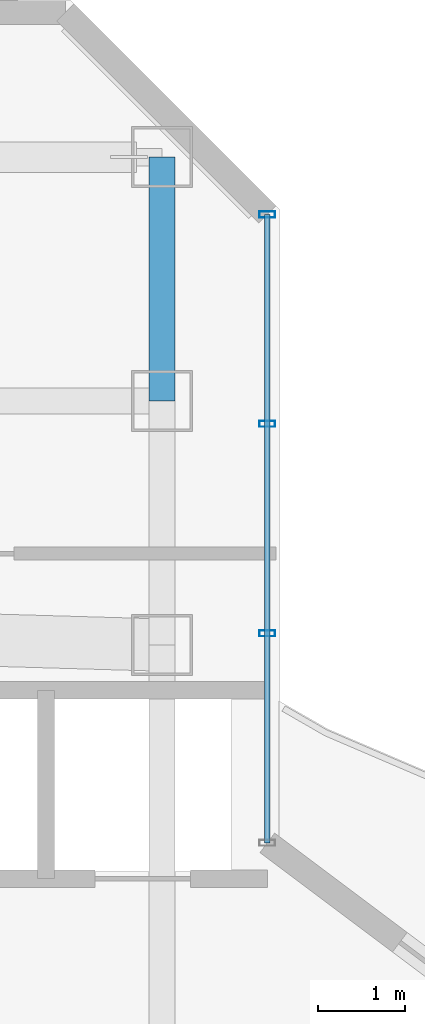
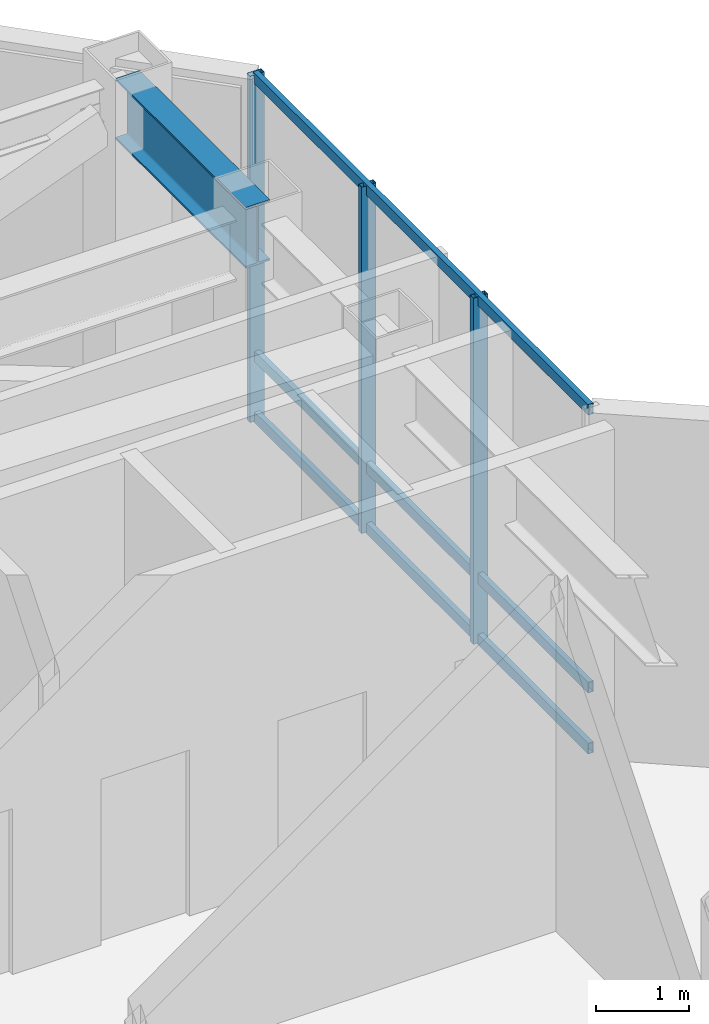
# One storey, part 13 of 21: 6 members, 1 beam, 1 element without a shape of its own.
"""IFC4 building model written with IfcOpenShell, lengths in metres."""

from ifc_helpers import new_model, si_unit, direction, frame, origin, origin_2d, place, context, subcontext, project, spatial, hollow_rectangle, i_section, extrude, material, layer, layer_set, material_profile, profile_set, type_object, element, aggregate, save


model = new_model("IFC4")

# Units and contexts
model_context = context("Model", 3, precision=1e-05, world=origin(), true_north=direction((0.0, 1.0)))
body_context = subcontext(model_context, "Body", "Model", "MODEL_VIEW")
ifc_project = project(units=[si_unit("LENGTHUNIT", "METRE"), si_unit("AREAUNIT", "SQUARE_METRE"), si_unit("VOLUMEUNIT", "CUBIC_METRE"), si_unit("PLANEANGLEUNIT", "RADIAN"), si_unit("MASSUNIT", "GRAM", prefix="KILO")], contexts=[model_context])

# Site, building, storey
site_placement = place(None, origin())
site = spatial("IfcSite", under=ifc_project, at=site_placement, CompositionType="ELEMENT")
building_placement = place(site_placement, origin())
building = spatial("IfcBuilding", under=site, at=building_placement, Name="Hatsunagi Terrace Concourse", CompositionType="ELEMENT")
storey_placement = place(building_placement, frame((0.0, 0.0, 234.75)))
storey = spatial("IfcBuildingStorey", under=building, at=storey_placement, Name="L62", CompositionType="ELEMENT", Elevation=234.75)

# Curtain wall, members
ifc_material_1 = material(Name="Anodised Aluminium Alloy 6063-T5", Category="aluminium")
ifc_layer = layer(ifc_material_1, 0.199951171875)
ifc_layer_set = layer_set([ifc_layer], Name="OfficeZone2_CW04")
curtain_wall_type = type_object("IfcCurtainWallType", Name="OfficeZone2_CW04", PredefinedType="NOTDEFINED", material=ifc_layer_set)
curtain_wall_placement = place(storey_placement, origin())
curtain_wall = element("IfcCurtainWall", 1, at=curtain_wall_placement, inside=storey, type_object=curtain_wall_type, Name="Unitised Curtain Wall CW-04 CW-L62-12", PredefinedType="NOTDEFINED")
ifc_material_2 = material(Name="Anodised Aluminium Alloy 6063-T5", Category="aluminium")
ifc_material_profile_1 = material_profile(ifc_material_2, hollow_rectangle(XDim=0.070068359375, YDim=0.179931640625, WallThickness=0.00390625, at=origin_2d()), Name="ALU-MUL-180x70x4")
ifc_profile_set_1 = profile_set([ifc_material_profile_1], Name="Anodised Aluminium Alloy 6063-T5")
member_type_1 = type_object("IfcMemberType", Name="CurtainWallMullion_180x70", PredefinedType="MULLION", material=ifc_profile_set_1)
member_1_placement = place(storey_placement, frame((44.860107421875, 47.94189453125, 0.0), z_axis=(0.0, 0.0, 1.0), x_axis=(0.0, -1.0, 0.0)))
member_1 = element("IfcMember", 2, at=member_1_placement, type_object=member_type_1, Name="Curtain Wall Mullion MUL-02", PredefinedType="MULLION", context=body_context, shape_type="SweptSolid", body=[
    extrude(hollow_rectangle(XDim=0.070068359375, YDim=0.179931640625, WallThickness=0.00390625, at=origin_2d()), origin(), (0.0, 0.0, 1.0), 4.550048828125),
])
member_2_placement = place(storey_placement, frame((44.860107421875, 45.5380859375, 0.0), z_axis=(0.0, 0.0, 1.0), x_axis=(0.0, -1.0, 0.0)))
member_2 = element("IfcMember", 3, at=member_2_placement, type_object=member_type_1, Name="Curtain Wall Mullion MUL-02", PredefinedType="MULLION", context=body_context, shape_type="SweptSolid", body=[
    extrude(hollow_rectangle(XDim=0.070068359375, YDim=0.179931640625, WallThickness=0.00390625, at=origin_2d()), origin(), (0.0, 0.0, 1.0), 4.550048828125),
])
member_3_placement = place(storey_placement, frame((44.860107421875, 43.134033203125, 0.0), z_axis=(0.0, 0.0, 1.0), x_axis=(0.0, -1.0, 0.0)))
member_3 = element("IfcMember", 4, at=member_3_placement, type_object=member_type_1, Name="Curtain Wall Mullion MUL-02", PredefinedType="MULLION", context=body_context, shape_type="SweptSolid", body=[
    extrude(hollow_rectangle(XDim=0.070068359375, YDim=0.179931640625, WallThickness=0.00390625, at=origin_2d()), origin(), (0.0, 0.0, 1.0), 4.550048828125),
])
ifc_material_3 = material(Name="Anodised Aluminium Alloy 6063-T5", Category="aluminium")
ifc_material_profile_2 = material_profile(ifc_material_3, hollow_rectangle(XDim=0.06494140625, YDim=0.139892578125, WallThickness=0.00390625, at=origin_2d()), Name="ALU-TRN-140x65x4")
ifc_profile_set_2 = profile_set([ifc_material_profile_2], Name="Anodised Aluminium Alloy 6063-T5")
member_type_2 = type_object("IfcMemberType", Name="CurtainWallTransom_140x65", PredefinedType="USERDEFINED", material=ifc_profile_set_2)
member_4_placement = place(storey_placement, frame((44.860107421875, 47.94189453125, 0.050048828125), z_axis=(0.0, -1.0, 0.0), x_axis=(1.0, 0.0, 0.0)))
member_4 = element("IfcMember", 5, at=member_4_placement, type_object=member_type_2, Name="Curtain Wall Transom TRN-02", ObjectType="TRANSOM", PredefinedType="USERDEFINED", context=body_context, shape_type="SweptSolid", body=[
    extrude(hollow_rectangle(XDim=0.06494140625, YDim=0.139892578125, WallThickness=0.00390625, at=origin_2d()), origin(), (0.0, 0.0, 1.0), 7.2119140625),
])
member_5_placement = place(storey_placement, frame((44.860107421875, 47.94189453125, 0.85009765625), z_axis=(0.0, -1.0, 0.0), x_axis=(1.0, 0.0, 0.0)))
member_5 = element("IfcMember", 6, at=member_5_placement, type_object=member_type_2, Name="Curtain Wall Transom TRN-02", ObjectType="TRANSOM", PredefinedType="USERDEFINED", context=body_context, shape_type="SweptSolid", body=[
    extrude(hollow_rectangle(XDim=0.06494140625, YDim=0.139892578125, WallThickness=0.00390625, at=origin_2d()), origin(), (0.0, 0.0, 1.0), 7.2119140625),
])
member_6_placement = place(storey_placement, frame((44.860107421875, 47.94189453125, 4.5), z_axis=(0.0, -1.0, 0.0), x_axis=(1.0, 0.0, 0.0)))
member_6 = element("IfcMember", 7, at=member_6_placement, type_object=member_type_2, Name="Curtain Wall Transom TRN-02", ObjectType="TRANSOM", PredefinedType="USERDEFINED", context=body_context, shape_type="SweptSolid", body=[
    extrude(hollow_rectangle(XDim=0.06494140625, YDim=0.139892578125, WallThickness=0.00390625, at=origin_2d()), origin(), (0.0, 0.0, 1.0), 7.2119140625),
])
aggregate(curtain_wall, [member_1, member_2, member_3, member_4, member_5, member_6])

# Beam
ifc_material_4 = material(Name="Steel SN490B", Category="steel")
ifc_material_profile_3 = material_profile(ifc_material_4, i_section(OverallWidth=0.300048828125, OverallDepth=0.800048828125, WebThickness=0.013916015625, FlangeThickness=0.02587890625, FilletRadius=0.02197265625, at=origin_2d()), Name="H-800x300x14x26")
ifc_profile_set_3 = profile_set([ifc_material_profile_3], Name="Steel SN490B")
beam_type = type_object("IfcBeamType", Name="SkyLobbyGirder_H_800x300", PredefinedType="BEAM", material=ifc_profile_set_3)
beam_placement = place(storey_placement, frame((43.64990234375, 45.800048828125, 4.14990234375), z_axis=(0.0, 1.0, 0.0), x_axis=(-1.0, 0.0, 0.0)))
element("IfcBeam", 8, at=beam_placement, inside=storey, type_object=beam_type, Name="Beam G-03 BM-L62-KN-WN6", PredefinedType="BEAM", context=body_context, shape_type="SweptSolid", body=[
    extrude(i_section(OverallWidth=0.300048828125, OverallDepth=0.800048828125, WebThickness=0.013916015625, FlangeThickness=0.02587890625, FilletRadius=0.02197265625, at=origin_2d()), origin(), (0.0, 0.0, 1.0), 2.800048828125),
])

save(model, "model.ifc")
